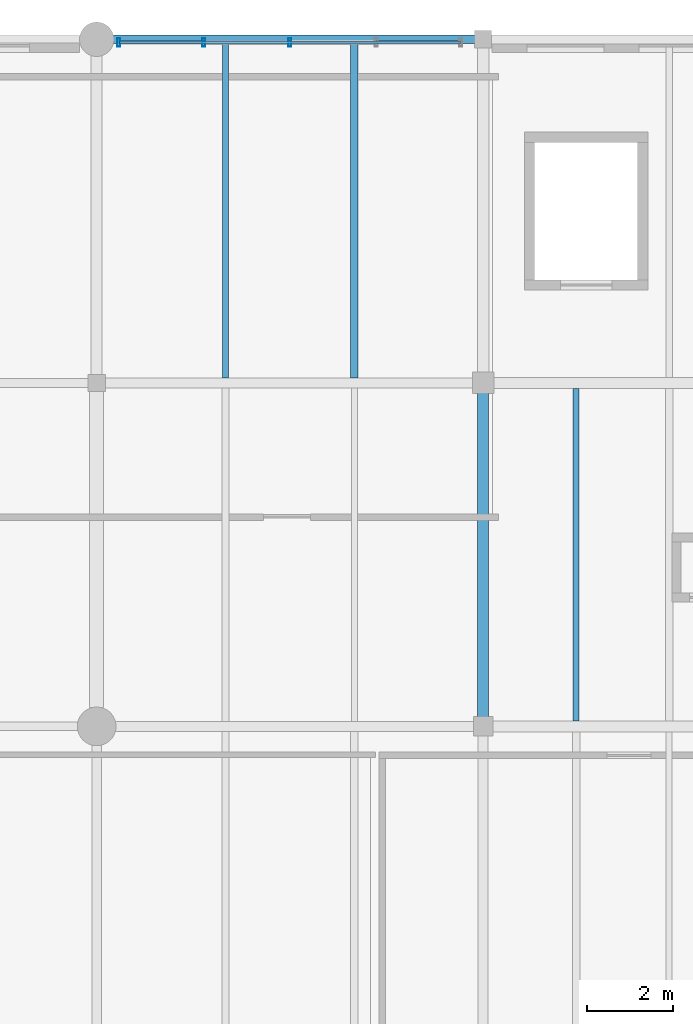
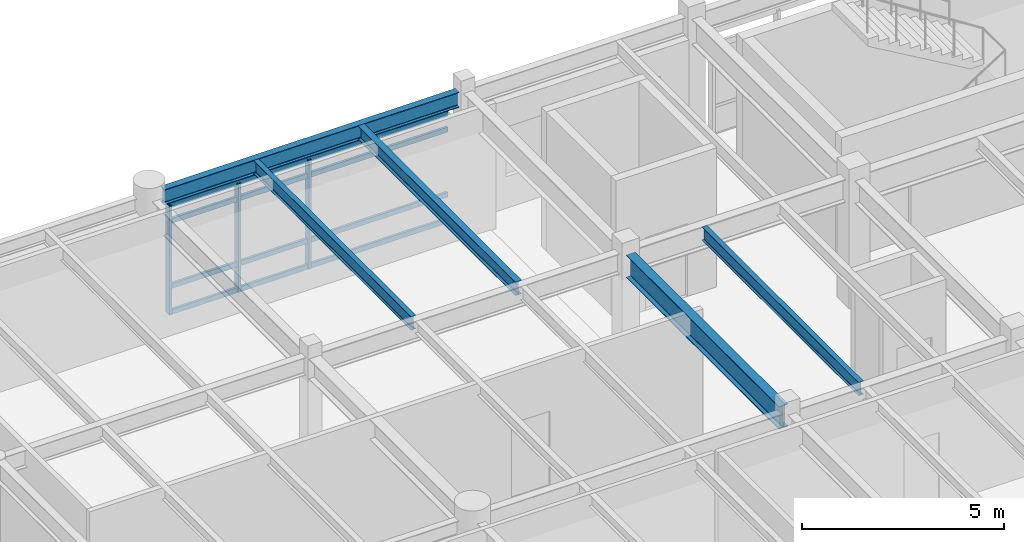
# One storey, part 12 of 56: 7 members, 5 beams, 1 element without a shape of its own.
"""IFC4 building model written with IfcOpenShell, lengths in metres."""

import ifcopenshell
import ifcopenshell.guid

model = None  # the IFC model being written
_history = None  # IfcOwnerHistory: only IFC2X3 demands one
_inside = {}  # id of a spatial element -> (the spatial element, [elements in it])
_under = {}  # id of a project, library or spatial element -> (it, [spatial elements below it])
_declared = {}  # id of a project -> (the project, [libraries it declares])
_typed = {}  # id of a type object -> (the type object, [elements of that type])
_made_of = {}  # id of a material, layer set ... -> (it, [elements and type objects made of it])


def new_model(schema):
    """Start an empty IFC model of exactly this schema.

    Asked for "IFC4X3", IfcOpenShell would pick the latest addendum, in which some entities
    have other attributes; the version numbers below select the first issue.
    IFC2X3 requires an IfcOwnerHistory on every rooted entity: one is made here for all.
    """
    global model, _history
    if schema == "IFC4X3":
        model = ifcopenshell.file(schema_version=(4, 3, 0, 0))
    else:
        model = ifcopenshell.file(schema=schema)
    _inside.clear()
    _under.clear()
    _declared.clear()
    _typed.clear()
    _made_of.clear()
    _history = None
    if model.schema == "IFC2X3":
        org = make("IfcOrganization", Name="unknown")
        user = make(
            "IfcPersonAndOrganization",
            ThePerson=make("IfcPerson", FamilyName="unknown"),
            TheOrganization=org,
        )
        app = make(
            "IfcApplication",
            ApplicationDeveloper=org,
            Version="unknown",
            ApplicationFullName="unknown",
            ApplicationIdentifier="unknown",
        )
        _history = make(
            "IfcOwnerHistory",
            OwningUser=user,
            OwningApplication=app,
            ChangeAction="ADDED",
            CreationDate=0,
        )
    return model


def make(cls, **values):
    """One entity of the class cls with the attributes given. An attribute that is None is left unset."""
    return model.create_entity(
        cls, **{name: value for name, value in values.items() if value is not None}
    )


def rooted(cls, **values):
    """An entity with a GlobalId (a new one), such as an element, a storey or a relation."""
    return make(cls, GlobalId=ifcopenshell.guid.new(), OwnerHistory=_history, **values)


def si_unit(unit_type, name, prefix=None):
    """IfcSIUnit, for example si_unit("LENGTHUNIT", "METRE", prefix="MILLI")."""
    return make("IfcSIUnit", UnitType=unit_type, Prefix=prefix, Name=name)


def assignment(units):
    """IfcUnitAssignment: the units of a project."""
    return None if units is None else make("IfcUnitAssignment", Units=units)


def point(xyz):
    """IfcCartesianPoint."""
    return None if xyz is None else make("IfcCartesianPoint", Coordinates=xyz)


def direction(xyz):
    """IfcDirection."""
    return None if xyz is None else make("IfcDirection", DirectionRatios=xyz)


def frame(location, z_axis=None, x_axis=None):
    """IfcAxis2Placement3D, a coordinate frame: its origin and axes. An axis left out is left unset."""
    return make(
        "IfcAxis2Placement3D",
        Location=point(location),
        Axis=direction(z_axis),
        RefDirection=direction(x_axis),
    )


def frame_2d(location, x_axis=None):
    """IfcAxis2Placement2D, a coordinate frame in the plane: its origin and x axis."""
    return make(
        "IfcAxis2Placement2D", Location=point(location), RefDirection=direction(x_axis)
    )


def origin():
    """The frame at (0, 0, 0) with its axes left unset."""
    return frame((0.0, 0.0, 0.0))


def origin_2d():
    """The frame at (0, 0) in the plane with its x axis left unset."""
    return frame_2d((0.0, 0.0))


def place(relative_to, where):
    """IfcLocalPlacement: puts the frame where relative to a parent placement (None: the world)."""
    return make(
        "IfcLocalPlacement", PlacementRelTo=relative_to, RelativePlacement=where
    )


def context(
    kind, dimensions, precision=None, world=None, true_north=None, identifier=None
):
    """IfcGeometricRepresentationContext, for example the 3D "Model" context."""
    return make(
        "IfcGeometricRepresentationContext",
        ContextIdentifier=identifier,
        ContextType=kind,
        CoordinateSpaceDimension=dimensions,
        Precision=precision,
        WorldCoordinateSystem=world,
        TrueNorth=true_north,
    )


def subcontext(parent, identifier, kind, view, scale=None):
    """IfcGeometricRepresentationSubContext, for example "Body" below "Model"."""
    return make(
        "IfcGeometricRepresentationSubContext",
        ContextIdentifier=identifier,
        ContextType=kind,
        ParentContext=parent,
        TargetScale=scale,
        TargetView=view,
    )


def project(units=None, contexts=None):
    """IfcProject with its units and contexts."""
    return rooted(
        "IfcProject",
        Name="project",
        RepresentationContexts=contexts,
        UnitsInContext=assignment(units),
    )


def spatial(cls, under=None, at=None, **own):
    """A site, building, storey or space (cls), placed at a placement, below another one or the project."""
    s = rooted(cls, ObjectPlacement=at, **own)
    if under is not None:
        _under.setdefault(under.id(), (under, []))[1].append(s)
    return s


def profile(cls, at=None, kind="AREA", **sizes):
    """A parametric profile (cls). Its sizes go by their IFC names, for example OverallWidth=200.0."""
    return make(cls, ProfileType=kind, Position=at, **sizes)


def hollow_rectangle(**sizes):
    """IfcRectangleHollowProfileDef."""
    return profile("IfcRectangleHollowProfileDef", **sizes)


def i_section(**sizes):
    """IfcIShapeProfileDef."""
    return profile("IfcIShapeProfileDef", **sizes)


def extrude(swept, where, along, depth):
    """IfcExtrudedAreaSolid: the profile swept, set in the frame where, extruded along a direction by depth."""
    return make(
        "IfcExtrudedAreaSolid",
        SweptArea=swept,
        Position=where,
        ExtrudedDirection=direction(along),
        Depth=depth,
    )


def shape(context_of_items, identifier, shape_type, items):
    """IfcShapeRepresentation: the items that make up one representation, for example the "Body"."""
    return make(
        "IfcShapeRepresentation",
        ContextOfItems=context_of_items,
        RepresentationIdentifier=identifier,
        RepresentationType=shape_type,
        Items=items,
    )


def material(Name=None, Category=None):
    """IfcMaterial."""
    return make("IfcMaterial", Name=Name, Category=Category)


def material_profile(
    of_material, cross_section, Name=None, Category=None, Priority=None
):
    """IfcMaterialProfile: a cross section and its material."""
    return make(
        "IfcMaterialProfile",
        Name=Name,
        Material=of_material,
        Profile=cross_section,
        Priority=Priority,
        Category=Category,
    )


def profile_set(profiles, Name=None, composite=None):
    """IfcMaterialProfileSet."""
    return make(
        "IfcMaterialProfileSet",
        Name=Name,
        MaterialProfiles=profiles,
        CompositeProfile=composite,
    )


def made_of(thing, what):
    """Note that an element or type object is made of a material, layer set ...; save() writes the relation."""
    if what is not None:
        _made_of.setdefault(what.id(), (what, []))[1].append(thing)
    return thing


def type_object(cls, material=None, **own):
    """A type object (cls), such as IfcWallType, which elements share."""
    return made_of(rooted(cls, **own), material)


def element(
    cls,
    number,
    at=None,
    inside=None,
    cuts=None,
    type_object=None,
    material=None,
    context=None,
    identifier="Body",
    shape_type=None,
    held_by="IfcProductDefinitionShape",
    body=None,
    shapes=None,
    **own,
):
    """One element of the class cls, such as IfcWall. Its Tag is "e" and its number.

    at: its placement. inside: the storey or other place that contains it. cuts: it is an
    opening in that element (IfcRelVoidsElement). A single representation is given by context,
    identifier, shape_type and body (its items); several are given by shapes. held_by: the class
    of the entity that holds the representations. save() writes the other relations.
    """
    e = rooted(cls, Tag="e%d" % number, ObjectPlacement=at, **own)
    if body is not None:
        shapes = [shape(context, identifier, shape_type, body)]
    if shapes is not None:
        e.Representation = make(held_by, Representations=shapes)
    if inside is not None:
        _inside.setdefault(inside.id(), (inside, []))[1].append(e)
    if cuts is not None:
        rooted(
            "IfcRelVoidsElement", RelatingBuildingElement=cuts, RelatedOpeningElement=e
        )
    if type_object is not None:
        _typed.setdefault(type_object.id(), (type_object, []))[1].append(e)
    return made_of(e, material)


def aggregate(whole, parts):
    """IfcRelAggregates: a whole, such as a stair, and the parts it consists of."""
    return rooted("IfcRelAggregates", RelatingObject=whole, RelatedObjects=parts)


def save(model, path):
    """Write the relations noted so far, then the file.

    IfcRelAggregates (storeys below a building ...), IfcRelContainedInSpatialStructure (elements
    in a storey), IfcRelDefinesByType, IfcRelAssociatesMaterial and IfcRelDeclares: one each for
    every whole, place, type object, material and project.
    """
    for whole, parts in _under.values():
        aggregate(whole, parts)
    for where, things in _inside.values():
        rooted(
            "IfcRelContainedInSpatialStructure",
            RelatedElements=things,
            RelatingStructure=where,
        )
    for kind, things in _typed.values():
        rooted("IfcRelDefinesByType", RelatedObjects=things, RelatingType=kind)
    for what, things in _made_of.values():
        rooted("IfcRelAssociatesMaterial", RelatedObjects=things, RelatingMaterial=what)
    for by, libraries in _declared.values():
        rooted("IfcRelDeclares", RelatingContext=by, RelatedDefinitions=libraries)
    model.write(path)


model = new_model("IFC4")

# Units and contexts
model_context = context("Model", 3, precision=1e-05, world=origin(), true_north=direction((0.0, 1.0)))
body_context = subcontext(model_context, "Body", "Model", "MODEL_VIEW")
ifc_project = project(units=[si_unit("LENGTHUNIT", "METRE"), si_unit("AREAUNIT", "SQUARE_METRE"), si_unit("VOLUMEUNIT", "CUBIC_METRE"), si_unit("PLANEANGLEUNIT", "RADIAN"), si_unit("MASSUNIT", "GRAM", prefix="KILO"), si_unit("THERMODYNAMICTEMPERATUREUNIT", "KELVIN"), si_unit("POWERUNIT", "WATT")], contexts=[model_context])

# Site, building, storey
site_placement = place(None, origin())
site = spatial("IfcSite", under=ifc_project, at=site_placement, CompositionType="ELEMENT")
building_placement = place(site_placement, origin())
building = spatial("IfcBuilding", under=site, at=building_placement, Name="Tepalcoro Natatorium and Aquatics Centre", CompositionType="ELEMENT")
storey_placement = place(building_placement, frame((0.0, 0.0, 14.800048828125)))
storey = spatial("IfcBuildingStorey", under=building, at=storey_placement, Name="L03", CompositionType="ELEMENT", Elevation=14.800048828125)

# Beam
ifc_material_1 = material(Name="Steel ASTM A992 Grade 50 (Fy 345 MPa)", Category="steel")
ifc_material_profile_1 = material_profile(ifc_material_1, i_section(OverallWidth=0.25390625, OverallDepth=0.68798828125, WebThickness=0.012939453125, FlangeThickness=0.02099609375, FilletRadius=0.013916015625, at=origin_2d()), Name="W27X102")
ifc_profile_set_1 = profile_set([ifc_material_profile_1], Name="Steel ASTM A992 Grade 50 (Fy 345 MPa)")
beam_type_1 = type_object("IfcBeamType", Name="BM_W27x102", PredefinedType="BEAM", material=ifc_profile_set_1)
beam_1_placement = place(storey_placement, frame((125.0, 102.2099609375, 3.4609375), z_axis=(0.0, 1.0, 0.0), x_axis=(-1.0, 0.0, 0.0)))
element("IfcBeam", 1, at=beam_1_placement, inside=storey, type_object=beam_type_1, Name="V5 L03 Grid Girder Y", PredefinedType="BEAM", context=body_context, shape_type="SweptSolid", body=[
    extrude(i_section(OverallWidth=0.25390625, OverallDepth=0.68798828125, WebThickness=0.012939453125, FlangeThickness=0.02099609375, FilletRadius=0.013916015625, at=origin_2d()), origin(), (0.0, 0.0, 1.0), 7.554931640625),
])

# Curtain wall, members
ifc_material_2 = material(Name="Bronze-Anodised Extruded Aluminium Alloy EN AW-6063 T6", Category="aluminium")
curtain_wall_type = type_object("IfcCurtainWallType", Name="CW_LEAN_T1_EW", PredefinedType="USERDEFINED", material=ifc_material_2)
curtain_wall_placement = place(storey_placement, origin())
curtain_wall = element("IfcCurtainWall", 2, at=curtain_wall_placement, inside=storey, type_object=curtain_wall_type, Name="V5 L03 N Unitised Curtain Wall Bay 2", ObjectType="FACETED SOLAR GLAZING", PredefinedType="USERDEFINED")
ifc_material_profile_2 = material_profile(ifc_material_2, hollow_rectangle(XDim=0.070068359375, YDim=0.199951171875, WallThickness=0.0048828125, at=origin_2d()), Name="AL70X200X5")
ifc_profile_set_2 = profile_set([ifc_material_profile_2], Name="Bronze-Anodised Extruded Aluminium Alloy EN AW-6063 T6")
member_type_1 = type_object("IfcMemberType", Name="CW_MUL_70x200", PredefinedType="MULLION", material=ifc_profile_set_2)
member_1_placement = place(storey_placement, frame((116.52001953125, 117.9287109375, 0.02001953125), z_axis=(0.0, 0.0, 1.0), x_axis=(1.0, 0.0, 0.0)))
member_1 = element("IfcMember", 3, at=member_1_placement, type_object=member_type_1, Name="CW_LEAN_T1_EW Curtain Wall Mullion", PredefinedType="MULLION", context=body_context, shape_type="SweptSolid", body=[
    extrude(hollow_rectangle(XDim=0.070068359375, YDim=0.199951171875, WallThickness=0.0048828125, at=origin_2d()), origin(), (0.0, 0.0, 1.0), 3.2900390625),
])
member_2_placement = place(storey_placement, frame((118.489990234375, 117.9287109375, 0.02001953125), z_axis=(0.0, 0.0, 1.0), x_axis=(1.0, 0.0, 0.0)))
member_2 = element("IfcMember", 4, at=member_2_placement, type_object=member_type_1, Name="CW_LEAN_T1_EW Curtain Wall Mullion", PredefinedType="MULLION", context=body_context, shape_type="SweptSolid", body=[
    extrude(hollow_rectangle(XDim=0.070068359375, YDim=0.199951171875, WallThickness=0.0048828125, at=origin_2d()), origin(), (0.0, 0.0, 1.0), 3.2900390625),
])
member_3_placement = place(storey_placement, frame((120.5, 117.9287109375, 0.02001953125), z_axis=(0.0, 0.0, 1.0), x_axis=(1.0, 0.0, 0.0)))
member_3 = element("IfcMember", 5, at=member_3_placement, type_object=member_type_1, Name="CW_LEAN_T1_EW Curtain Wall Mullion", PredefinedType="MULLION", context=body_context, shape_type="SweptSolid", body=[
    extrude(hollow_rectangle(XDim=0.070068359375, YDim=0.199951171875, WallThickness=0.0048828125, at=origin_2d()), origin(), (0.0, 0.0, 1.0), 3.2900390625),
])
ifc_material_profile_3 = material_profile(ifc_material_2, hollow_rectangle(XDim=0.070068359375, YDim=0.14990234375, WallThickness=0.00390625, at=origin_2d()), Name="AL70X150X4")
ifc_profile_set_3 = profile_set([ifc_material_profile_3], Name="Bronze-Anodised Extruded Aluminium Alloy EN AW-6063 T6")
member_type_2 = type_object("IfcMemberType", Name="CW_TRN_70x150", PredefinedType="USERDEFINED", material=ifc_profile_set_3)
member_4_placement = place(storey_placement, frame((116.530029296875, 117.9287109375, 0.050048828125), z_axis=(1.0, 0.0, 0.0), x_axis=(0.0, 1.0, 0.0)))
member_4 = element("IfcMember", 6, at=member_4_placement, type_object=member_type_2, Name="CW_LEAN_T1_EW Curtain Wall Transom", ObjectType="TRANSOM", PredefinedType="USERDEFINED", context=body_context, shape_type="SweptSolid", body=[
    extrude(hollow_rectangle(XDim=0.070068359375, YDim=0.14990234375, WallThickness=0.00390625, at=origin_2d()), origin(), (0.0, 0.0, 1.0), 7.93994140625),
])
member_5_placement = place(storey_placement, frame((116.530029296875, 117.9287109375, 0.83251953125), z_axis=(1.0, 0.0, 0.0), x_axis=(0.0, 1.0, 0.0)))
member_5 = element("IfcMember", 7, at=member_5_placement, type_object=member_type_2, Name="CW_LEAN_T1_EW Curtain Wall Transom", ObjectType="TRANSOM", PredefinedType="USERDEFINED", context=body_context, shape_type="SweptSolid", body=[
    extrude(hollow_rectangle(XDim=0.070068359375, YDim=0.14990234375, WallThickness=0.00390625, at=origin_2d()), origin(), (0.0, 0.0, 1.0), 7.93994140625),
])
member_6_placement = place(storey_placement, frame((116.530029296875, 117.9287109375, 2.797119140625), z_axis=(1.0, 0.0, 0.0), x_axis=(0.0, 1.0, 0.0)))
member_6 = element("IfcMember", 8, at=member_6_placement, type_object=member_type_2, Name="CW_LEAN_T1_EW Curtain Wall Transom", ObjectType="TRANSOM", PredefinedType="USERDEFINED", context=body_context, shape_type="SweptSolid", body=[
    extrude(hollow_rectangle(XDim=0.070068359375, YDim=0.14990234375, WallThickness=0.00390625, at=origin_2d()), origin(), (0.0, 0.0, 1.0), 7.93994140625),
])
member_7_placement = place(storey_placement, frame((116.530029296875, 117.9287109375, 3.280029296875), z_axis=(1.0, 0.0, 0.0), x_axis=(0.0, 1.0, 0.0)))
member_7 = element("IfcMember", 9, at=member_7_placement, type_object=member_type_2, Name="CW_LEAN_T1_EW Curtain Wall Transom", ObjectType="TRANSOM", PredefinedType="USERDEFINED", context=body_context, shape_type="SweptSolid", body=[
    extrude(hollow_rectangle(XDim=0.070068359375, YDim=0.14990234375, WallThickness=0.00390625, at=origin_2d()), origin(), (0.0, 0.0, 1.0), 7.93994140625),
])
aggregate(curtain_wall, [member_1, member_2, member_3, member_4, member_5, member_6, member_7])

# Beams
ifc_material_profile_4 = material_profile(ifc_material_1, i_section(OverallWidth=0.139892578125, OverallDepth=0.404052734375, WebThickness=0.007080078125, FlangeThickness=0.010986328125, FilletRadius=0.013916015625, at=origin_2d()), Name="W16X31")
ifc_profile_set_4 = profile_set([ifc_material_profile_4], Name="Steel ASTM A992 Grade 50 (Fy 345 MPa)")
beam_type_2 = type_object("IfcBeamType", Name="JS_W16x31", PredefinedType="JOIST", material=ifc_profile_set_4)
beam_2_placement = place(storey_placement, frame((119.0, 110.114990234375, 3.60302734375), z_axis=(0.0, 1.0, 0.0), x_axis=(-1.0, 0.0, 0.0)))
element("IfcBeam", 10, at=beam_2_placement, inside=storey, type_object=beam_type_2, Name="V5 L03 Floor Joist", PredefinedType="JOIST", context=body_context, shape_type="SweptSolid", body=[
    extrude(i_section(OverallWidth=0.139892578125, OverallDepth=0.404052734375, WebThickness=0.007080078125, FlangeThickness=0.010986328125, FilletRadius=0.013916015625, at=origin_2d()), origin(), (0.0, 0.0, 1.0), 7.78955078125),
])
beam_3_placement = place(storey_placement, frame((127.166748046875, 102.126953125, 3.60302734375), z_axis=(0.0, 1.0, 0.0), x_axis=(-1.0, 0.0, 0.0)))
element("IfcBeam", 11, at=beam_3_placement, inside=storey, type_object=beam_type_2, Name="V5 L03 Floor Joist", PredefinedType="JOIST", context=body_context, shape_type="SweptSolid", body=[
    extrude(i_section(OverallWidth=0.139892578125, OverallDepth=0.404052734375, WebThickness=0.007080078125, FlangeThickness=0.010986328125, FilletRadius=0.013916015625, at=origin_2d()), origin(), (0.0, 0.0, 1.0), 7.74609375),
])
ifc_material_profile_5 = material_profile(ifc_material_1, i_section(OverallWidth=0.178955078125, OverallDepth=0.409912109375, WebThickness=0.009033203125, FlangeThickness=0.013916015625, FilletRadius=0.013916015625, at=origin_2d()), Name="W16X45")
ifc_profile_set_5 = profile_set([ifc_material_profile_5], Name="Steel ASTM A992 Grade 50 (Fy 345 MPa)")
beam_type_3 = type_object("IfcBeamType", Name="JS_W16x45", PredefinedType="JOIST", material=ifc_profile_set_5)
beam_4_placement = place(storey_placement, frame((122.0, 110.114990234375, 3.599853515625), z_axis=(0.0, 1.0, 0.0), x_axis=(-1.0, 0.0, 0.0)))
element("IfcBeam", 12, at=beam_4_placement, inside=storey, type_object=beam_type_3, Name="V5 L03 Floor Joist", PredefinedType="JOIST", context=body_context, shape_type="SweptSolid", body=[
    extrude(i_section(OverallWidth=0.178955078125, OverallDepth=0.409912109375, WebThickness=0.009033203125, FlangeThickness=0.013916015625, FilletRadius=0.013916015625, at=origin_2d()), origin(), (0.0, 0.0, 1.0), 7.78955078125),
])
ifc_material_profile_6 = material_profile(ifc_material_1, i_section(OverallWidth=0.19091796875, OverallDepth=0.4599609375, WebThickness=0.010009765625, FlangeThickness=0.01611328125, FilletRadius=0.013916015625, at=origin_2d()), Name="W18X55")
ifc_profile_set_6 = profile_set([ifc_material_profile_6], Name="Steel ASTM A992 Grade 50 (Fy 345 MPa)")
beam_type_4 = type_object("IfcBeamType", Name="SP_W18x55", PredefinedType="SPANDREL", material=ifc_profile_set_6)
beam_5_placement = place(storey_placement, frame((116.385009765625, 118.0, 3.574951171875), z_axis=(1.0, 0.0, 0.0), x_axis=(0.0, 1.0, 0.0)))
element("IfcBeam", 13, at=beam_5_placement, inside=storey, type_object=beam_type_4, Name="V5 L03 Grid Girder X", PredefinedType="SPANDREL", context=body_context, shape_type="SweptSolid", body=[
    extrude(i_section(OverallWidth=0.19091796875, OverallDepth=0.4599609375, WebThickness=0.010009765625, FlangeThickness=0.01611328125, FilletRadius=0.013916015625, at=origin_2d()), origin(), (0.0, 0.0, 1.0), 8.429931640625),
])

save(model, "model.ifc")
